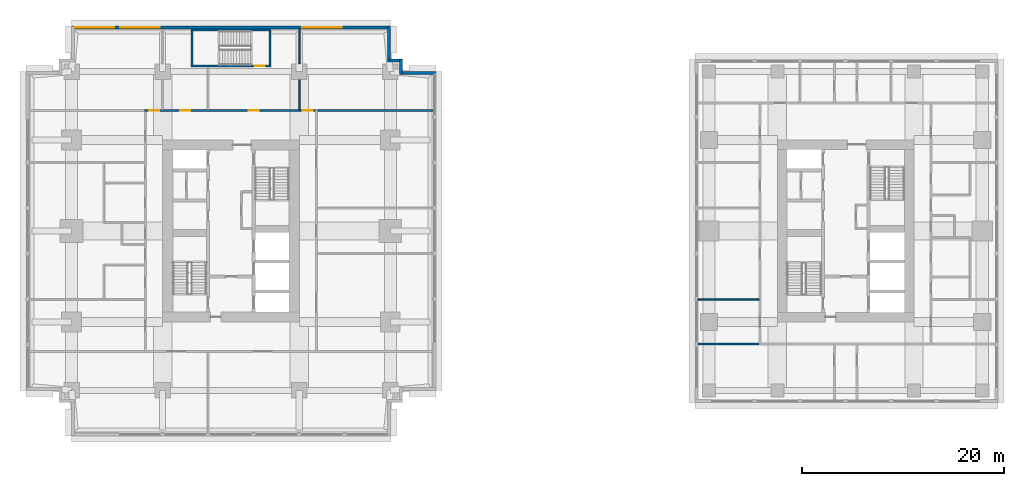
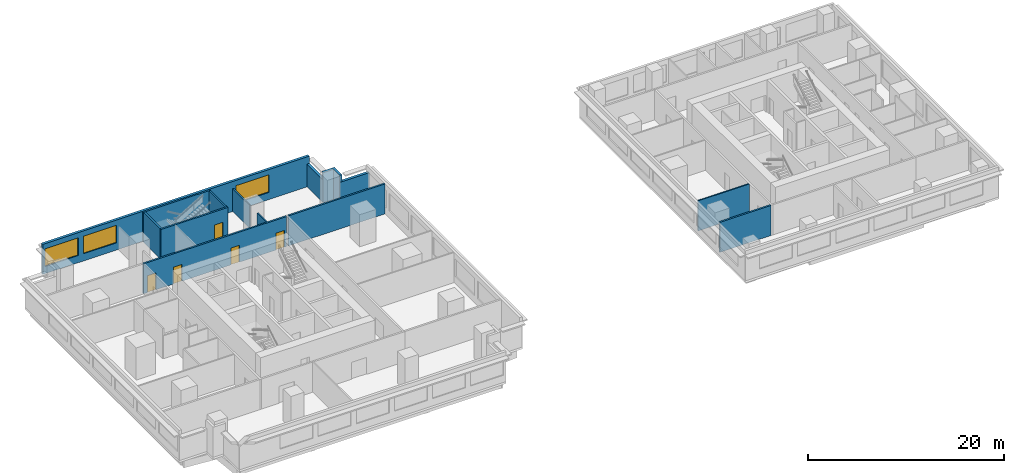
# One storey, part 5 of 11: 15 walls, 5 doors, 3 windows, 8 openings.
"""IFC4 building model written with IfcOpenShell, lengths in metres."""

from ifc_helpers import new_model, si_unit, direction, frame, frame_2d, origin, place, context, subcontext, project, spatial, rectangle, extrude, material, layer, layer_set, type_object, element, fill, save


model = new_model("IFC4")

# Units and contexts
model_context = context("Model", 3, precision=1e-05, world=origin(), true_north=direction((0.0, 1.0)))
body_context = subcontext(model_context, "Body", "Model", "MODEL_VIEW")
ifc_project = project(units=[si_unit("LENGTHUNIT", "METRE"), si_unit("AREAUNIT", "SQUARE_METRE"), si_unit("VOLUMEUNIT", "CUBIC_METRE"), si_unit("PLANEANGLEUNIT", "RADIAN"), si_unit("MASSUNIT", "GRAM", prefix="KILO")], contexts=[model_context])

# Site, building, storey
site_placement = place(None, origin())
site = spatial("IfcSite", under=ifc_project, at=site_placement, CompositionType="ELEMENT")
building_placement = place(site_placement, origin())
building = spatial("IfcBuilding", under=site, at=building_placement, Name="Namib Vertical Campus", CompositionType="ELEMENT")
storey_placement = place(building_placement, frame((0.0, 0.0, 221.0)))
storey = spatial("IfcBuildingStorey", under=building, at=storey_placement, Name="L52", CompositionType="ELEMENT", Elevation=221.0)

# Wall, openings, doors
ifc_material_1 = material(Name="Concrete masonry", Category="masonry")
ifc_layer_1 = layer(ifc_material_1, 0.199951171875)
ifc_layer_set_1 = layer_set([ifc_layer_1], Name="Corridor wall 200")
wall_type_1 = type_object("IfcWallType", Name="Corridor wall 200", PredefinedType="SOLIDWALL", material=ifc_layer_set_1)
wall_1_placement = place(storey_placement, frame((28.60009765625, 32.14990234375, 0.0), z_axis=(0.0, 0.0, 1.0), x_axis=(-1.0, 0.0, 0.0)))
wall_1 = element("IfcWall", 1, at=wall_1_placement, inside=storey, type_object=wall_type_1, Name="Corridor wall A L52 CN", PredefinedType="SOLIDWALL", context=body_context, shape_type="SweptSolid", body=[
    extrude(rectangle(XDim=16.900146484375, YDim=0.199951171875, at=frame_2d((8.4501953125, 0.0))), origin(), (0.0, 0.0, 1.0), 3.75),
])
opening_1_placement = place(wall_1_placement, frame((15.425048828125, 0.0, 0.0)))
opening_1 = element("IfcOpeningElement", 2, at=opening_1_placement, cuts=wall_1, Name="Opening CD1", PredefinedType="OPENING", context=body_context, shape_type="SweptSolid", body=[
    extrude(rectangle(XDim=1.0, YDim=2.10009765625, at=frame_2d((0.5, 1.050048828125))), frame((0.0, 0.10986328125, 0.0), z_axis=(0.0, -1.0, 0.0), x_axis=(1.0, 0.0, 0.0)), (0.0, 0.0, 1.0), 0.219970703125),
])
opening_2_placement = place(wall_1_placement, frame((12.35009765625, 0.0, 0.0)))
opening_2 = element("IfcOpeningElement", 3, at=opening_2_placement, cuts=wall_1, Name="Opening CD1", PredefinedType="OPENING", context=body_context, shape_type="SweptSolid", body=[
    extrude(rectangle(XDim=1.0, YDim=2.10009765625, at=frame_2d((0.5, 1.050048828125))), frame((0.0, 0.10986328125, 0.0), z_axis=(0.0, -1.0, 0.0), x_axis=(1.0, 0.0, 0.0)), (0.0, 0.0, 1.0), 0.219970703125),
])
opening_3_placement = place(wall_1_placement, frame((5.60009765625, 0.0, 0.0)))
opening_3 = element("IfcOpeningElement", 4, at=opening_3_placement, cuts=wall_1, Name="Opening CD1", PredefinedType="OPENING", context=body_context, shape_type="SweptSolid", body=[
    extrude(rectangle(XDim=1.0, YDim=2.10009765625, at=frame_2d((0.5, 1.050048828125))), frame((0.0, 0.10986328125, 0.0), z_axis=(0.0, -1.0, 0.0), x_axis=(1.0, 0.0, 0.0)), (0.0, 0.0, 1.0), 0.219970703125),
])
opening_4_placement = place(wall_1_placement, frame((0.27490234375, 0.0, 0.0)))
opening_4 = element("IfcOpeningElement", 5, at=opening_4_placement, cuts=wall_1, Name="Opening CD1", PredefinedType="OPENING", context=body_context, shape_type="SweptSolid", body=[
    extrude(rectangle(XDim=1.0, YDim=2.10009765625, at=frame_2d((0.5, 1.050048828125))), frame((0.0, 0.10986328125, 0.0), z_axis=(0.0, -1.0, 0.0), x_axis=(1.0, 0.0, 0.0)), (0.0, 0.0, 1.0), 0.219970703125),
])
ifc_material_2 = material(Name="Timber fire door leaf", Category="wood")
door_type_1 = type_object("IfcDoorType", Name="Corridor door 1000x2100 20 min", OperationType="SINGLE_SWING_LEFT", PredefinedType="DOOR", material=ifc_material_2)
door_1_placement = place(opening_1_placement, frame((1.0, 0.0, 0.0), z_axis=(0.0, 0.0, 1.0), x_axis=(-1.0, 0.0, 0.0)))
door_1 = element("IfcDoor", 6, at=door_1_placement, inside=storey, type_object=door_type_1, Name="Door CD1 A52-06", OperationType="SINGLE_SWING_RIGHT", OverallHeight=2.10009765625, OverallWidth=1.0, PredefinedType="DOOR", context=body_context, shape_type="SweptSolid", body=[
    extrude(rectangle(XDim=1.0, YDim=2.10009765625, at=frame_2d((0.5, 1.050048828125))), frame((0.0, 0.02490234375, 0.0), z_axis=(0.0, -1.0, 0.0), x_axis=(1.0, 0.0, 0.0)), (0.0, 0.0, 1.0), 0.050048828125),
])
fill(opening_1, door_1)
door_2_placement = place(opening_2_placement, frame((1.0, 0.0, 0.0), z_axis=(0.0, 0.0, 1.0), x_axis=(-1.0, 0.0, 0.0)))
door_2 = element("IfcDoor", 7, at=door_2_placement, inside=storey, type_object=door_type_1, Name="Door CD1 A52-07", OperationType="SINGLE_SWING_RIGHT", OverallHeight=2.10009765625, OverallWidth=1.0, PredefinedType="DOOR", context=body_context, shape_type="SweptSolid", body=[
    extrude(rectangle(XDim=1.0, YDim=2.10009765625, at=frame_2d((0.5, 1.050048828125))), frame((0.0, 0.02490234375, 0.0), z_axis=(0.0, -1.0, 0.0), x_axis=(1.0, 0.0, 0.0)), (0.0, 0.0, 1.0), 0.050048828125),
])
fill(opening_2, door_2)
door_3_placement = place(opening_3_placement, frame((1.0, 0.0, 0.0), z_axis=(0.0, 0.0, 1.0), x_axis=(-1.0, 0.0, 0.0)))
door_3 = element("IfcDoor", 8, at=door_3_placement, inside=storey, type_object=door_type_1, Name="Door CD1 A52-08", OperationType="SINGLE_SWING_RIGHT", OverallHeight=2.10009765625, OverallWidth=1.0, PredefinedType="DOOR", context=body_context, shape_type="SweptSolid", body=[
    extrude(rectangle(XDim=1.0, YDim=2.10009765625, at=frame_2d((0.5, 1.050048828125))), frame((0.0, 0.02490234375, 0.0), z_axis=(0.0, -1.0, 0.0), x_axis=(1.0, 0.0, 0.0)), (0.0, 0.0, 1.0), 0.050048828125),
])
fill(opening_3, door_3)
door_4_placement = place(opening_4_placement, frame((1.0, 0.0, 0.0), z_axis=(0.0, 0.0, 1.0), x_axis=(-1.0, 0.0, 0.0)))
door_4 = element("IfcDoor", 9, at=door_4_placement, inside=storey, type_object=door_type_1, Name="Door CD1 A52-09", OperationType="SINGLE_SWING_LEFT", OverallHeight=2.10009765625, OverallWidth=1.0, PredefinedType="DOOR", context=body_context, shape_type="SweptSolid", body=[
    extrude(rectangle(XDim=1.0, YDim=2.10009765625, at=frame_2d((0.5, 1.050048828125))), frame((0.0, 0.02490234375, 0.0), z_axis=(0.0, -1.0, 0.0), x_axis=(1.0, 0.0, 0.0)), (0.0, 0.0, 1.0), 0.050048828125),
])
fill(opening_4, door_4)

# Walls
wall_2_placement = place(storey_placement, frame((28.800048828125, 32.14990234375, 0.0), z_axis=(0.0, 0.0, 1.0), x_axis=(1.0, 0.0, 0.0)))
element("IfcWall", 10, at=wall_2_placement, inside=storey, type_object=wall_type_1, Name="Partition A L52 BNE", PredefinedType="SOLIDWALL", context=body_context, shape_type="SweptSolid", body=[
    extrude(rectangle(XDim=11.39990234375, YDim=0.199951171875, at=frame_2d((5.699951171875, 0.0))), origin(), (0.0, 0.0, 1.0), 3.75),
])
wall_3_placement = place(storey_placement, frame((66.39990234375, 9.10009765625, 0.0), z_axis=(0.0, 0.0, 1.0), x_axis=(1.0, 0.0, 0.0)))
element("IfcWall", 11, at=wall_3_placement, inside=storey, type_object=wall_type_1, Name="Partition B L52 BSW", PredefinedType="SOLIDWALL", context=body_context, shape_type="SweptSolid", body=[
    extrude(rectangle(XDim=6.050048828125, YDim=0.199951171875, at=frame_2d((3.02490234375, 0.0))), origin(), (0.0, 0.0, 1.0), 3.75),
])
ifc_material_3 = material(Name="Concrete C40/50", Category="concrete")
ifc_layer_2 = layer(ifc_material_3, 0.300048828125)
ifc_layer_set_2 = layer_set([ifc_layer_2], Name="Concrete C40/50")
wall_type_2 = type_object("IfcWallType", Name="External wall 300 board-marked concrete", PredefinedType="STANDARD", material=ifc_layer_set_2)
wall_4_placement = place(storey_placement, frame((40.47998046875, 35.85009765625, 0.0), z_axis=(0.0, 0.0, 1.0), x_axis=(-1.0, 0.0, 0.0)))
element("IfcWall", 12, at=wall_4_placement, inside=storey, type_object=wall_type_2, Name="External wall L52 F07", PredefinedType="STANDARD", context=body_context, shape_type="SweptSolid", body=[
    extrude(rectangle(XDim=3.534912109375, YDim=0.300048828125, at=frame_2d((1.767578125, 0.0))), origin(), (0.0, 0.0, 1.0), 2.85009765625),
])
for number, where, z_axis, x_axis, name in (
    (13, (37.074951171875, 35.719970703125, 0.0), (0.0, 0.0, 1.0), (0.0, 1.0, 0.0), "External wall L52 F08"),
    (14, (37.205078125, 37.074951171875, 0.0), (0.0, 0.0, 1.0), (-1.0, 0.0, 0.0), "External wall L52 F09"),
):
    element("IfcWall", number, at=place(storey_placement, frame(where, z_axis=z_axis, x_axis=x_axis)), inside=storey, type_object=wall_type_2, Name=name, PredefinedType="STANDARD", context=body_context, shape_type="SweptSolid", body=[
        extrude(rectangle(XDim=1.485107421875, YDim=0.300048828125, at=frame_2d((0.74267578125, 0.0))), origin(), (0.0, 0.0, 1.0), 3.75),
    ])
wall_5_placement = place(storey_placement, frame((35.85009765625, 36.945068359375, 0.0), z_axis=(0.0, 0.0, 1.0), x_axis=(0.0, 1.0, 0.0)))
element("IfcWall", 15, at=wall_5_placement, inside=storey, type_object=wall_type_2, Name="External wall L52 F10", PredefinedType="STANDARD", context=body_context, shape_type="SweptSolid", body=[
    extrude(rectangle(XDim=3.534912109375, YDim=0.300048828125, at=frame_2d((1.767578125, 0.0))), origin(), (0.0, 0.0, 1.0), 2.85009765625),
])

# Wall, openings, windows
wall_6_placement = place(storey_placement, frame((35.97998046875, 40.35009765625, 0.0), z_axis=(0.0, 0.0, 1.0), x_axis=(-1.0, 0.0, 0.0)))
wall_6 = element("IfcWall", 16, at=wall_6_placement, inside=storey, type_object=wall_type_2, Name="External wall L52 F11", PredefinedType="STANDARD", context=body_context, shape_type="SweptSolid", body=[
    extrude(rectangle(XDim=31.4599609375, YDim=0.300048828125, at=frame_2d((15.72998046875, 0.0))), origin(), (0.0, 0.0, 1.0), 3.75),
])
opening_5_placement = place(wall_6_placement, frame((27.280029296875, 0.0, 0.89990234375)))
opening_5 = element("IfcOpeningElement", 17, at=opening_5_placement, cuts=wall_6, Name="Opening W1", PredefinedType="OPENING", context=body_context, shape_type="SweptSolid", body=[
    extrude(rectangle(XDim=3.89990234375, YDim=2.199951171875, at=frame_2d((1.949951171875, 1.10009765625))), frame((0.0, 0.159912109375, 0.0), z_axis=(0.0, -1.0, 0.0), x_axis=(1.0, 0.0, 0.0)), (0.0, 0.0, 1.0), 0.320068359375),
])
opening_6_placement = place(wall_6_placement, frame((22.780029296875, 0.0, 0.89990234375)))
opening_6 = element("IfcOpeningElement", 18, at=opening_6_placement, cuts=wall_6, Name="Opening W1", PredefinedType="OPENING", context=body_context, shape_type="SweptSolid", body=[
    extrude(rectangle(XDim=3.89990234375, YDim=2.199951171875, at=frame_2d((1.949951171875, 1.10009765625))), frame((0.0, 0.159912109375, 0.0), z_axis=(0.0, -1.0, 0.0), x_axis=(1.0, 0.0, 0.0)), (0.0, 0.0, 1.0), 0.320068359375),
])
opening_7_placement = place(wall_6_placement, frame((4.780029296875, 0.0, 0.89990234375)))
opening_7 = element("IfcOpeningElement", 19, at=opening_7_placement, cuts=wall_6, Name="Opening W1", PredefinedType="OPENING", context=body_context, shape_type="SweptSolid", body=[
    extrude(rectangle(XDim=3.89990234375, YDim=2.199951171875, at=frame_2d((1.949951171875, 1.10009765625))), frame((0.0, 0.159912109375, 0.0), z_axis=(0.0, -1.0, 0.0), x_axis=(1.0, 0.0, 0.0)), (0.0, 0.0, 1.0), 0.320068359375),
])
ifc_material_4 = material(Name="Dark tinted glass in black aluminium frame", Category="aluminium")
window_type = type_object("IfcWindowType", Name="Ribbon window 3900x2200", PartitioningType="SINGLE_PANEL", PredefinedType="WINDOW", material=ifc_material_4)
window_1_placement = place(opening_5_placement, origin())
window_1 = element("IfcWindow", 20, at=window_1_placement, inside=storey, type_object=window_type, Name="Window W1 L52 F11-1", OverallHeight=2.199951171875, OverallWidth=3.89990234375, PartitioningType="SINGLE_PANEL", PredefinedType="WINDOW", context=body_context, shape_type="SweptSolid", body=[
    extrude(rectangle(XDim=3.89990234375, YDim=2.199951171875, at=frame_2d((1.949951171875, 1.10009765625))), frame((0.0, 0.030029296875, 0.0), z_axis=(0.0, -1.0, 0.0), x_axis=(1.0, 0.0, 0.0)), (0.0, 0.0, 1.0), 0.06005859375),
])
fill(opening_5, window_1)
window_2_placement = place(opening_6_placement, origin())
window_2 = element("IfcWindow", 21, at=window_2_placement, inside=storey, type_object=window_type, Name="Window W1 L52 F11-2", OverallHeight=2.199951171875, OverallWidth=3.89990234375, PartitioningType="SINGLE_PANEL", PredefinedType="WINDOW", context=body_context, shape_type="SweptSolid", body=[
    extrude(rectangle(XDim=3.89990234375, YDim=2.199951171875, at=frame_2d((1.949951171875, 1.10009765625))), frame((0.0, 0.030029296875, 0.0), z_axis=(0.0, -1.0, 0.0), x_axis=(1.0, 0.0, 0.0)), (0.0, 0.0, 1.0), 0.06005859375),
])
fill(opening_6, window_2)
window_3_placement = place(opening_7_placement, origin())
window_3 = element("IfcWindow", 22, at=window_3_placement, inside=storey, type_object=window_type, Name="Window W1 L52 F11-6", OverallHeight=2.199951171875, OverallWidth=3.89990234375, PartitioningType="SINGLE_PANEL", PredefinedType="WINDOW", context=body_context, shape_type="SweptSolid", body=[
    extrude(rectangle(XDim=3.89990234375, YDim=2.199951171875, at=frame_2d((1.949951171875, 1.10009765625))), frame((0.0, 0.030029296875, 0.0), z_axis=(0.0, -1.0, 0.0), x_axis=(1.0, 0.0, 0.0)), (0.0, 0.0, 1.0), 0.06005859375),
])
fill(opening_7, window_3)

# Walls
ifc_material_5 = material(Name="Gypsum board on steel studs", Category="steel")
ifc_layer_3 = layer(ifc_material_5, 0.14990234375)
ifc_layer_set_3 = layer_set([ifc_layer_3], Name="Gypsum board on steel studs")
wall_type_3 = type_object("IfcWallType", Name="Partition 150", PredefinedType="PARTITIONING", material=ifc_layer_set_3)
wall_7_placement = place(storey_placement, frame((27.0, 32.25, 0.0), z_axis=(0.0, 0.0, 1.0), x_axis=(0.0, 1.0, 0.0)))
element("IfcWall", 23, at=wall_7_placement, inside=storey, type_object=wall_type_3, Name="Partition A L52 PN3", PredefinedType="PARTITIONING", context=body_context, shape_type="SweptSolid", body=[
    extrude(rectangle(XDim=2.955078125, YDim=0.14990234375, at=frame_2d((1.4775390625, 0.0))), origin(), (0.0, 0.0, 1.0), 2.85009765625),
])
wall_8_placement = place(storey_placement, frame((27.0, 36.794921875, 0.0), z_axis=(0.0, 0.0, 1.0), x_axis=(0.0, 1.0, 0.0)))
element("IfcWall", 24, at=wall_8_placement, inside=storey, type_object=wall_type_3, Name="Partition A L52 PN3", PredefinedType="PARTITIONING", context=body_context, shape_type="SweptSolid", body=[
    extrude(rectangle(XDim=3.405029296875, YDim=0.14990234375, at=frame_2d((1.70263671875, 0.0))), origin(), (0.0, 0.0, 1.0), 2.85009765625),
])
wall_9_placement = place(storey_placement, frame((66.39990234375, 13.5, 0.0), z_axis=(0.0, 0.0, 1.0), x_axis=(1.0, 0.0, 0.0)))
element("IfcWall", 25, at=wall_9_placement, inside=storey, type_object=wall_type_3, Name="Partition B L52 PW1", PredefinedType="PARTITIONING", context=body_context, shape_type="SweptSolid", body=[
    extrude(rectangle(XDim=6.050048828125, YDim=0.14990234375, at=frame_2d((3.02490234375, 0.0))), origin(), (0.0, 0.0, 1.0), 3.75),
])

# Wall, opening, door
ifc_material_6 = material(Name="Concrete C40/50", Category="concrete")
ifc_layer_4 = layer(ifc_material_6, 0.199951171875)
ifc_layer_set_4 = layer_set([ifc_layer_4], Name="Concrete C40/50")
wall_type_4 = type_object("IfcWallType", Name="Stair enclosure wall RC 200", PredefinedType="SOLIDWALL", material=ifc_layer_set_4)
wall_10_placement = place(storey_placement, frame((16.300048828125, 36.550048828125, 0.0), z_axis=(0.0, 0.0, 1.0), x_axis=(1.0, 0.0, 0.0)))
wall_10 = element("IfcWall", 26, at=wall_10_placement, inside=storey, type_object=wall_type_4, Name="Stair enclosure wall A-S3 L52 S", PredefinedType="SOLIDWALL", context=body_context, shape_type="SweptSolid", body=[
    extrude(rectangle(XDim=7.89990234375, YDim=0.199951171875, at=frame_2d((3.949951171875, 0.0))), origin(), (0.0, 0.0, 1.0), 3.75),
])
opening_8_placement = place(wall_10_placement, frame((6.300048828125, 0.0, 0.0)))
opening_8 = element("IfcOpeningElement", 27, at=opening_8_placement, cuts=wall_10, Name="Opening FD1", PredefinedType="OPENING", context=body_context, shape_type="SweptSolid", body=[
    extrude(rectangle(XDim=1.0, YDim=2.10009765625, at=frame_2d((0.5, 1.050048828125))), frame((0.0, 0.10986328125, 0.0), z_axis=(0.0, -1.0, 0.0), x_axis=(1.0, 0.0, 0.0)), (0.0, 0.0, 1.0), 0.219970703125),
])
ifc_material_7 = material(Name="Steel fire door", Category="steel")
door_type_2 = type_object("IfcDoorType", Name="Fire door 1000x2100", OperationType="SINGLE_SWING_RIGHT", PredefinedType="DOOR", material=ifc_material_7)
door_5_placement = place(opening_8_placement, origin())
door_5 = element("IfcDoor", 28, at=door_5_placement, inside=storey, type_object=door_type_2, Name="Stair door FD1 A L52 S3", OperationType="SINGLE_SWING_RIGHT", OverallHeight=2.10009765625, OverallWidth=1.0, PredefinedType="DOOR", context=body_context, shape_type="SweptSolid", body=[
    extrude(rectangle(XDim=1.0, YDim=2.10009765625, at=frame_2d((0.5, 1.050048828125))), frame((0.0, 0.02490234375, 0.0), z_axis=(0.0, -1.0, 0.0), x_axis=(1.0, 0.0, 0.0)), (0.0, 0.0, 1.0), 0.050048828125),
])
fill(opening_8, door_5)

# Walls
wall_11_placement = place(storey_placement, frame((16.300048828125, 40.10009765625, 0.0), z_axis=(0.0, 0.0, 1.0), x_axis=(1.0, 0.0, 0.0)))
element("IfcWall", 29, at=wall_11_placement, inside=storey, type_object=wall_type_4, Name="Stair enclosure wall A-S3 L52 N", PredefinedType="SOLIDWALL", context=body_context, shape_type="SweptSolid", body=[
    extrude(rectangle(XDim=7.89990234375, YDim=0.199951171875, at=frame_2d((3.949951171875, 0.0))), origin(), (0.0, 0.0, 1.0), 3.75),
])
for number, where, z_axis, x_axis, name in (
    (30, (16.39990234375, 36.64990234375, 0.0), (0.0, 0.0, 1.0), (0.0, 1.0, 0.0), "Stair enclosure wall A-S3 L52 W"),
    (31, (24.10009765625, 36.64990234375, 0.0), (0.0, 0.0, 1.0), (0.0, 1.0, 0.0), "Stair enclosure wall A-S3 L52 E"),
):
    element("IfcWall", number, at=place(storey_placement, frame(where, z_axis=z_axis, x_axis=x_axis)), inside=storey, type_object=wall_type_4, Name=name, PredefinedType="SOLIDWALL", context=body_context, shape_type="SweptSolid", body=[
        extrude(rectangle(XDim=3.35009765625, YDim=0.199951171875, at=frame_2d((1.675048828125, 0.0))), origin(), (0.0, 0.0, 1.0), 3.75),
    ])

save(model, "model.ifc")
